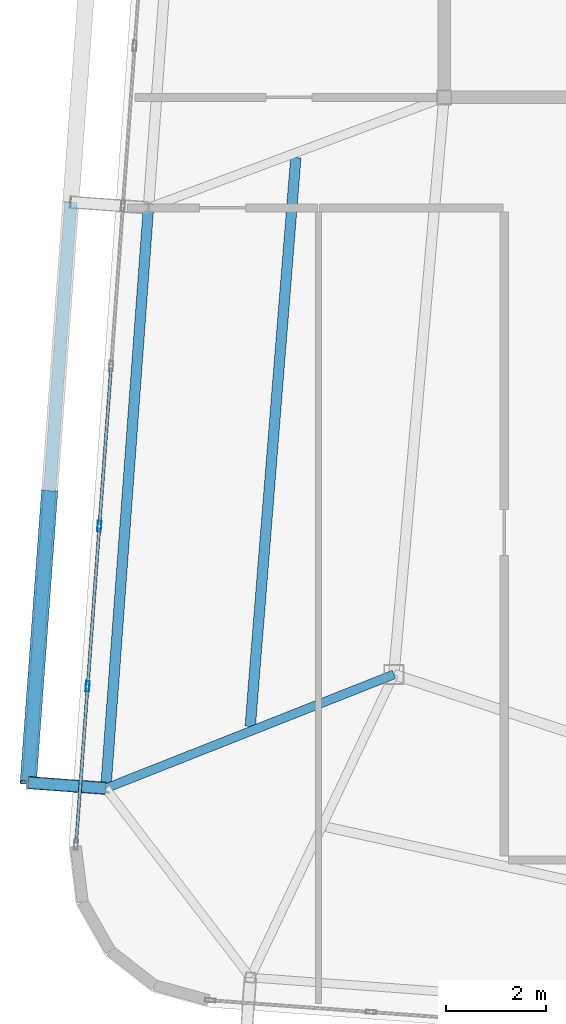
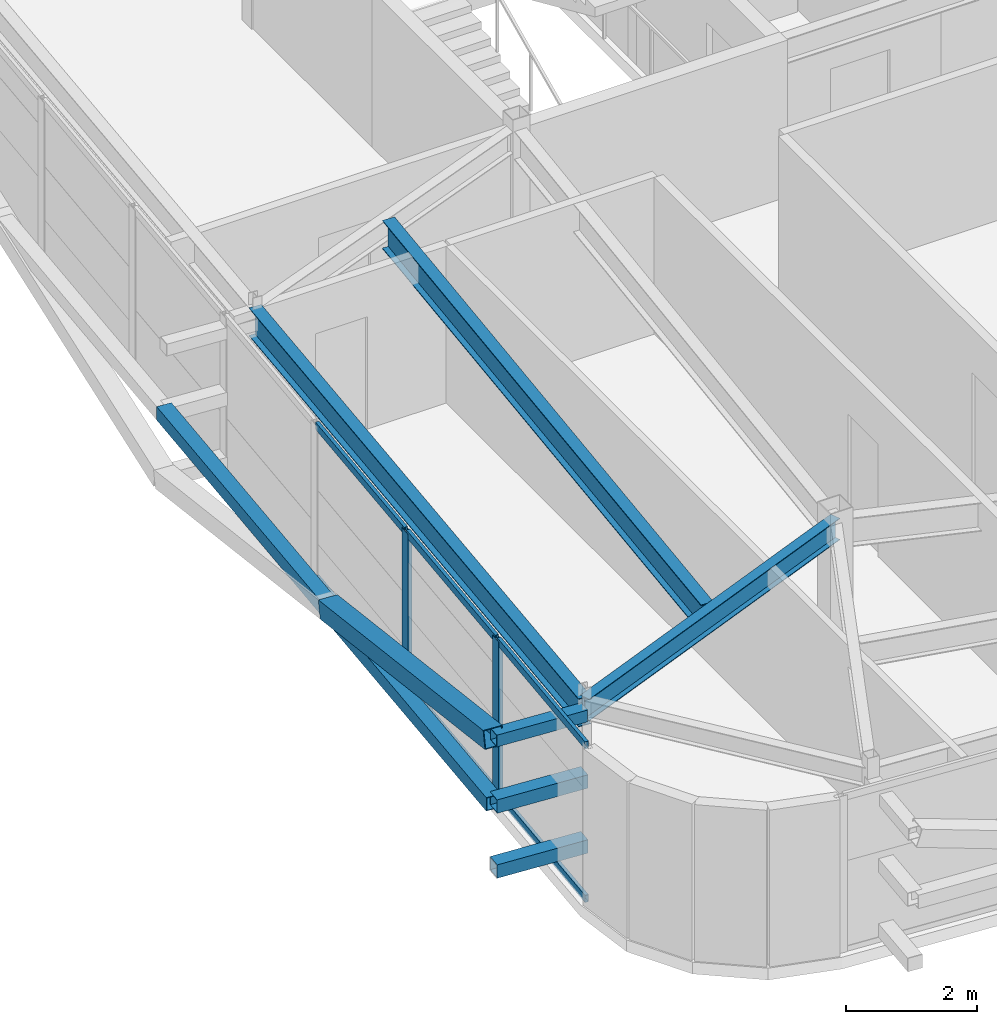
# One storey, part 11 of 42: 13 members, 3 beams, 1 element without a shape of its own.
"""IFC4 building model written with IfcOpenShell, lengths in metres."""

from ifc_helpers import new_model, si_unit, direction, frame, origin, origin_2d, place, context, subcontext, project, spatial, hollow_rectangle, i_section, extrude, source, transform, mapped, material, layer, layer_set, material_profile, profile_set, type_object, element, aggregate, save


model = new_model("IFC4")

# Units and contexts
model_context = context("Model", 3, precision=1e-05, world=origin(), true_north=direction((0.0, 1.0)))
body_context = subcontext(model_context, "Body", "Model", "MODEL_VIEW")
ifc_project = project(units=[si_unit("LENGTHUNIT", "METRE"), si_unit("AREAUNIT", "SQUARE_METRE"), si_unit("VOLUMEUNIT", "CUBIC_METRE"), si_unit("PLANEANGLEUNIT", "RADIAN"), si_unit("MASSUNIT", "GRAM", prefix="KILO")], contexts=[model_context])

# Site, building, storey
site_placement = place(None, origin())
site = spatial("IfcSite", under=ifc_project, at=site_placement, CompositionType="ELEMENT")
building_placement = place(site_placement, origin())
building = spatial("IfcBuilding", under=site, at=building_placement, Name="Taldren Reach Tower", CompositionType="ELEMENT")
storey_placement = place(building_placement, frame((0.0, 0.0, 214.550048828125)))
storey = spatial("IfcBuildingStorey", under=building, at=storey_placement, Name="L65", CompositionType="ELEMENT", Elevation=214.550048828125)

# Beams
ifc_material_1 = material(Name="Steel Gr 350 (350PLUS)", Category="steel")
ifc_material_profile_1 = material_profile(ifc_material_1, i_section(OverallWidth=0.208984375, OverallDepth=0.528076171875, WebThickness=0.009521484375, FlangeThickness=0.01318359375, at=origin_2d()), Name="530UB82.0")
ifc_profile_set_1 = profile_set([ifc_material_profile_1], Name="Steel Gr 350 (350PLUS)")
beam_type_1 = type_object("IfcBeamType", Name="SP-UB530B", PredefinedType="SPANDREL", material=ifc_profile_set_1)
shared_shape_1 = source(origin(), body_context, "Body", "SweptSolid", [
    extrude(i_section(OverallWidth=0.208984375, OverallDepth=0.528076171875, WebThickness=0.009521484375, FlangeThickness=0.01318359375, at=origin_2d()), origin(), (0.0, 0.0, 1.0), 11.60009765625),
])
beam_1_placement = place(storey_placement, frame((13.108642578125, 21.80029296875, 2.666015625), z_axis=(-0.073242167855, -0.997314185625, 0.0), x_axis=(0.997314185625, -0.073242167855, 0.0)))
element("IfcBeam", 1, at=beam_1_placement, inside=storey, type_object=beam_type_1, Name="Perimeter spandrel B5 W2-W1 L65", PredefinedType="SPANDREL", context=body_context, shape_type="MappedRepresentation", body=[
    mapped(shared_shape_1, transform((0.0, 0.0, 0.0), scale=1.0)),
])
ifc_material_profile_2 = material_profile(ifc_material_1, i_section(OverallWidth=0.177978515625, OverallDepth=0.406005859375, WebThickness=0.0078125, FlangeThickness=0.0126953125, at=origin_2d()), Name="410UB59.7")
ifc_profile_set_2 = profile_set([ifc_material_profile_2], Name="Steel Gr 350 (350PLUS)")
beam_type_2 = type_object("IfcBeamType", Name="BM-UB410", PredefinedType="BEAM", material=ifc_profile_set_2)
shared_shape_2 = source(origin(), body_context, "Body", "SweptSolid", [
    extrude(i_section(OverallWidth=0.177978515625, OverallDepth=0.406005859375, WebThickness=0.0078125, FlangeThickness=0.0126953125, at=origin_2d()), origin(), (0.0, 0.0, 1.0), 6.1728515625),
])
beam_2_placement = place(storey_placement, frame((18.0, 12.5, 2.72705078125), z_axis=(-0.930023287794, -0.367500590695, 0.0), x_axis=(0.367500590695, -0.930023287794, 0.0)))
element("IfcBeam", 2, at=beam_2_placement, inside=storey, type_object=beam_type_2, Name="Primary floor girder B5-W1 L65", PredefinedType="BEAM", context=body_context, shape_type="MappedRepresentation", body=[
    mapped(shared_shape_2, transform((0.0, 0.0, 0.0), scale=1.0)),
])
ifc_material_profile_3 = material_profile(ifc_material_1, i_section(OverallWidth=0.208984375, OverallDepth=0.532958984375, WebThickness=0.01025390625, FlangeThickness=0.015625, at=origin_2d()), Name="530UB92.4")
ifc_profile_set_3 = profile_set([ifc_material_profile_3], Name="Steel Gr 350 (350PLUS)")
beam_type_3 = type_object("IfcBeamType", Name="BM-UB530A", PredefinedType="BEAM", material=ifc_profile_set_3)
shared_shape_3 = source(origin(), body_context, "Body", "SweptSolid", [
    extrude(i_section(OverallWidth=0.208984375, OverallDepth=0.532958984375, WebThickness=0.01025390625, FlangeThickness=0.015625, at=origin_2d()), origin(), (0.0, 0.0, 1.0), 11.3740234375),
])
beam_3_placement = place(storey_placement, frame((15.137451171875, 11.464599609375, 2.663330078125), z_axis=(0.079913287803, 0.996801819036, 0.0), x_axis=(-0.996801819036, 0.079913287803, 0.0)))
element("IfcBeam", 3, at=beam_3_placement, inside=storey, type_object=beam_type_3, Name="Secondary floor beam B5 J6 L65", PredefinedType="BEAM", context=body_context, shape_type="MappedRepresentation", body=[
    mapped(shared_shape_3, transform((0.0, 0.0, 0.0), scale=1.0)),
])

# Members
ifc_material_2 = material(Name="Steel Gr 450 (C450L0)", Category="steel")
ifc_material_profile_4 = material_profile(ifc_material_2, hollow_rectangle(XDim=0.219970703125, YDim=0.219970703125, WallThickness=0.00830078125, at=origin_2d()), Name="220x220x8.2SHS")
ifc_profile_set_4 = profile_set([ifc_material_profile_4], Name="Steel Gr 450 (C450L0)")
member_type_1 = type_object("IfcMemberType", Name="MB-TIE219", PredefinedType="STRUT", material=ifc_profile_set_4)
shared_shape_4 = source(origin(), body_context, "Body", "SweptSolid", [
    extrude(hollow_rectangle(XDim=0.219970703125, YDim=0.219970703125, WallThickness=0.00830078125, at=origin_2d()), origin(), (0.0, 0.0, 1.0), 1.5458984375),
])
member_1_placement = place(storey_placement, frame((12.255126953125, 10.231689453125, 2.64990234375), z_axis=(-0.997311530447, 0.073278313559, 0.0), x_axis=(-0.073278313559, -0.997311530447, 0.0)))
element("IfcMember", 4, at=member_1_placement, inside=storey, type_object=member_type_1, Name="Exoskeleton diaphragm tie strut B5-W1 L65", PredefinedType="STRUT", context=body_context, shape_type="MappedRepresentation", body=[
    mapped(shared_shape_4, transform((0.0, 0.0, 0.0), scale=1.0)),
])
ifc_material_profile_5 = material_profile(ifc_material_2, hollow_rectangle(XDim=0.324951171875, YDim=0.324951171875, WallThickness=0.0126953125, at=origin_2d()), Name="325x325x12.7SHS")
ifc_profile_set_5 = profile_set([ifc_material_profile_5], Name="Steel Gr 450 (C450L0)")
member_type_2 = type_object("IfcMemberType", Name="MB-BR324", PredefinedType="BRACE", material=ifc_profile_set_5)
shared_shape_5 = source(origin(), body_context, "Body", "SweptSolid", [
    extrude(hollow_rectangle(XDim=0.324951171875, YDim=0.324951171875, WallThickness=0.0126953125, at=origin_2d()), origin(), (0.0, 0.0, 1.0), 5.92578125),
])
member_2_placement = place(storey_placement, frame((11.137939453125, 16.12939453125, 1.43505859375), z_axis=(-0.071645553297, -0.976134614303, 0.205007632667), x_axis=(0.997317259472, -0.073200300267, 0.0)))
element("IfcMember", 5, at=member_2_placement, inside=storey, type_object=member_type_2, Name="Exoskeleton Diagrid Brace B5-W1 L65", PredefinedType="BRACE", context=body_context, shape_type="MappedRepresentation", body=[
    mapped(shared_shape_5, transform((0.0, 0.0, 0.0), scale=1.0)),
])
ifc_material_3 = material(Name="Steel Gr 350 (C350L0)", Category="steel")
ifc_material_profile_6 = material_profile(ifc_material_3, hollow_rectangle(XDim=0.25, YDim=0.25, WallThickness=0.010009765625, at=origin_2d()), Name="250x250x10.0SHS")
ifc_profile_set_6 = profile_set([ifc_material_profile_6], Name="Steel Gr 350 (C350L0)")
member_type_3 = type_object("IfcMemberType", Name="MB-POST250", PredefinedType="POST", material=ifc_profile_set_6)
shared_shape_6 = source(origin(), body_context, "Body", "SweptSolid", [
    extrude(hollow_rectangle(XDim=0.25, YDim=0.25, WallThickness=0.010009765625, at=origin_2d()), origin(), (0.0, 0.0, 1.0), 11.60009765625),
])
member_3_placement = place(storey_placement, frame((10.71337890625, 10.344970703125, 1.43505859375), z_axis=(0.073221234109, 0.997315722766, 0.0), x_axis=(-0.997315722766, 0.073221234109, 0.0)))
element("IfcMember", 6, at=member_3_placement, inside=storey, type_object=member_type_3, Name="Exoskeleton mid-height ring chord B5-W1 L65", PredefinedType="POST", context=body_context, shape_type="MappedRepresentation", body=[
    mapped(shared_shape_6, transform((0.0, 0.0, 0.0), scale=1.0)),
])
shared_shape_7 = source(origin(), body_context, "Body", "SweptSolid", [
    extrude(hollow_rectangle(XDim=0.25, YDim=0.25, WallThickness=0.010009765625, at=origin_2d()), origin(), (0.0, 0.0, 1.0), 1.5458984375),
])
for number, where, z_axis, x_axis, name in (
    (7, (12.255126953125, 10.231689453125, 0.219970703125), (-0.997311530447, 0.073278313559, 0.0), (-0.073278313559, -0.997311530447, 0.0), "Exoskeleton base diaphragm tie strut B5-W1 L65"),
    (8, (12.255126953125, 10.231689453125, 1.43505859375), (-0.997311530447, 0.073278313559, 0.0), (-0.073278313559, -0.997311530447, 0.0), "Exoskeleton mid-tier diaphragm tie B5-W1 L65"),
):
    element("IfcMember", number, at=place(storey_placement, frame(where, z_axis=z_axis, x_axis=x_axis)), inside=storey, type_object=member_type_3, Name=name, PredefinedType="POST", context=body_context, shape_type="MappedRepresentation", body=[
        mapped(shared_shape_7, transform((0.0, 0.0, 0.0), scale=1.0)),
    ])

# Curtain wall, members
ifc_material_4 = material(Name="Aluminium and Low-E Glass Unitised System", Category="aluminium")
ifc_layer = layer(ifc_material_4, 0.159912109375)
ifc_layer_set = layer_set([ifc_layer], Name="Aluminium and Low-E Glass Unitised System")
curtain_wall_type = type_object("IfcCurtainWallType", Name="CW-SYS-6", PredefinedType="NOTDEFINED", material=ifc_layer_set)
curtain_wall_placement = place(storey_placement, origin())
curtain_wall = element("IfcCurtainWall", 9, at=curtain_wall_placement, inside=storey, type_object=curtain_wall_type, Name="Unitised curtain wall CW-L65-W", PredefinedType="NOTDEFINED")
ifc_material_5 = material(Name="Anodised Aluminium 6063-T6", Category="aluminium")
ifc_material_profile_7 = material_profile(ifc_material_5, hollow_rectangle(XDim=0.074951171875, YDim=0.2099609375, WallThickness=0.00439453125, at=origin_2d()), Name="ALU-210x75x4.5RHS")
ifc_profile_set_7 = profile_set([ifc_material_profile_7], Name="Anodised Aluminium 6063-T6")
member_type_4 = type_object("IfcMemberType", Name="CW-MUL-200", PredefinedType="MULLION", material=ifc_profile_set_7)
shared_shape_8 = source(origin(), body_context, "Body", "SweptSolid", [
    extrude(hollow_rectangle(XDim=0.074951171875, YDim=0.2099609375, WallThickness=0.00439453125, at=origin_2d()), origin(), (0.0, 0.0, 1.0), 2.929931640625),
])
member_4_placement = place(storey_placement, frame((12.13134765625, 15.454833984375, 0.0), z_axis=(0.0, 0.0, 1.0), x_axis=(0.997314470951, -0.073238282558, 0.0)))
member_4 = element("IfcMember", 10, at=member_4_placement, type_object=member_type_4, Name="CW-6 mullion 7", PredefinedType="MULLION", context=body_context, shape_type="MappedRepresentation", body=[
    mapped(shared_shape_8, transform((0.0, 0.0, 0.0), scale=1.0)),
])
member_5_placement = place(storey_placement, frame((11.89697265625, 12.263427734375, 0.0), z_axis=(0.0, 0.0, 1.0), x_axis=(0.997314470951, -0.073238282558, 0.0)))
member_5 = element("IfcMember", 11, at=member_5_placement, type_object=member_type_4, Name="CW-6 mullion 8", PredefinedType="MULLION", context=body_context, shape_type="MappedRepresentation", body=[
    mapped(shared_shape_8, transform((0.0, 0.0, 0.0), scale=1.0)),
])
ifc_material_profile_8 = material_profile(ifc_material_5, hollow_rectangle(XDim=0.06005859375, YDim=0.135009765625, WallThickness=0.00341796875, at=origin_2d()), Name="ALU-135x60x3.5RHS")
ifc_profile_set_8 = profile_set([ifc_material_profile_8], Name="Anodised Aluminium 6063-T6")
member_type_5 = type_object("IfcMemberType", Name="CW-TRN-150", PredefinedType="USERDEFINED", material=ifc_profile_set_8)
shared_shape_9 = source(origin(), body_context, "Body", "SweptSolid", [
    extrude(hollow_rectangle(XDim=0.06005859375, YDim=0.135009765625, WallThickness=0.00341796875, at=origin_2d()), origin(), (0.0, 0.0, 1.0), 3.125),
])
member_6_placement = place(storey_placement, frame((12.363037109375, 18.60888671875, 0.030029296875), z_axis=(-0.073278879567, -0.997311488859, 0.0), x_axis=(0.997311488859, -0.073278879567, 0.0)))
member_6 = element("IfcMember", 12, at=member_6_placement, type_object=member_type_5, Name="CW-6 transom 6.1", ObjectType="TRANSOM", PredefinedType="USERDEFINED", context=body_context, shape_type="MappedRepresentation", body=[
    mapped(shared_shape_9, transform((0.0, 0.0, 0.0), scale=1.0)),
])
member_7_placement = place(storey_placement, frame((12.363037109375, 18.60888671875, 2.89990234375), z_axis=(-0.073278879567, -0.997311488859, 0.0), x_axis=(0.997311488859, -0.073278879567, 0.0)))
member_7 = element("IfcMember", 13, at=member_7_placement, type_object=member_type_5, Name="CW-6 transom 6.2", ObjectType="TRANSOM", PredefinedType="USERDEFINED", context=body_context, shape_type="MappedRepresentation", body=[
    mapped(shared_shape_9, transform((0.0, 0.0, 0.0), scale=1.0)),
])
member_8_placement = place(storey_placement, frame((12.128662109375, 15.41748046875, 0.030029296875), z_axis=(-0.073278879567, -0.997311488859, 0.0), x_axis=(0.997311488859, -0.073278879567, 0.0)))
member_8 = element("IfcMember", 14, at=member_8_placement, type_object=member_type_5, Name="CW-6 transom 7.1", ObjectType="TRANSOM", PredefinedType="USERDEFINED", context=body_context, shape_type="MappedRepresentation", body=[
    mapped(shared_shape_9, transform((0.0, 0.0, 0.0), scale=1.0)),
])
member_9_placement = place(storey_placement, frame((12.128662109375, 15.41748046875, 2.89990234375), z_axis=(-0.073278879567, -0.997311488859, 0.0), x_axis=(0.997311488859, -0.073278879567, 0.0)))
member_9 = element("IfcMember", 15, at=member_9_placement, type_object=member_type_5, Name="CW-6 transom 7.2", ObjectType="TRANSOM", PredefinedType="USERDEFINED", context=body_context, shape_type="MappedRepresentation", body=[
    mapped(shared_shape_9, transform((0.0, 0.0, 0.0), scale=1.0)),
])
shared_shape_10 = source(origin(), body_context, "Body", "SweptSolid", [
    extrude(hollow_rectangle(XDim=0.06005859375, YDim=0.135009765625, WallThickness=0.00341796875, at=origin_2d()), origin(), (0.0, 0.0, 1.0), 3.087646484375),
])
member_10_placement = place(storey_placement, frame((11.894287109375, 12.22607421875, 0.030029296875), z_axis=(-0.073219257406, -0.99731586789, 0.0), x_axis=(0.99731586789, -0.073219257406, 0.0)))
member_10 = element("IfcMember", 16, at=member_10_placement, type_object=member_type_5, Name="CW-6 transom 8.1", ObjectType="TRANSOM", PredefinedType="USERDEFINED", context=body_context, shape_type="MappedRepresentation", body=[
    mapped(shared_shape_10, transform((0.0, 0.0, 0.0), scale=1.0)),
])
member_11_placement = place(storey_placement, frame((11.894287109375, 12.22607421875, 2.89990234375), z_axis=(-0.073219257406, -0.99731586789, 0.0), x_axis=(0.99731586789, -0.073219257406, 0.0)))
member_11 = element("IfcMember", 17, at=member_11_placement, type_object=member_type_5, Name="CW-6 transom 8.2", ObjectType="TRANSOM", PredefinedType="USERDEFINED", context=body_context, shape_type="MappedRepresentation", body=[
    mapped(shared_shape_10, transform((0.0, 0.0, 0.0), scale=1.0)),
])
aggregate(curtain_wall, [member_4, member_5, member_6, member_7, member_8, member_9, member_10, member_11])

save(model, "model.ifc")
